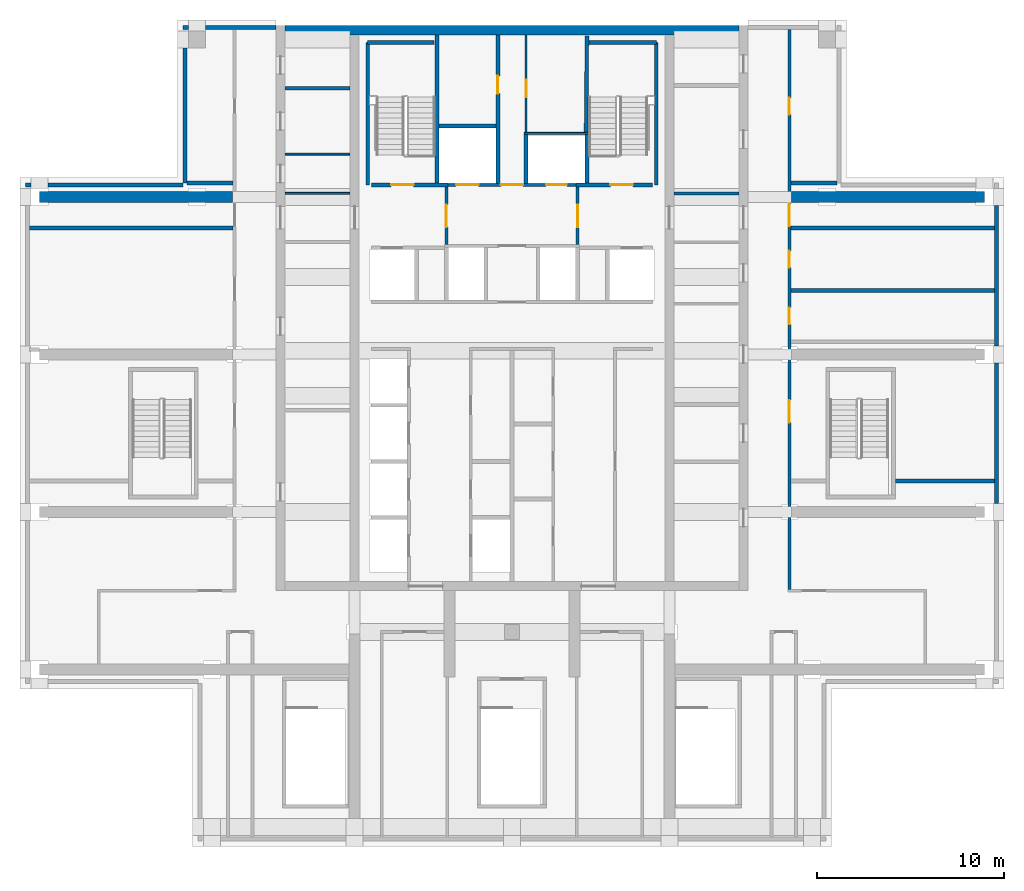
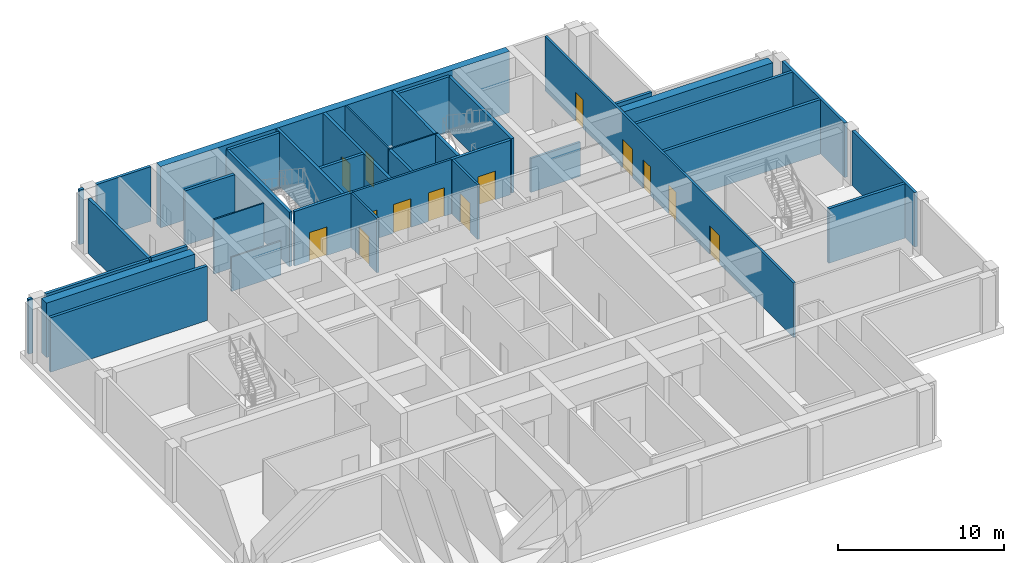
# One storey, part 5 of 11: 38 walls, 14 doors, 14 openings.
"""IFC4 building model written with IfcOpenShell, lengths in metres."""

from ifc_helpers import new_model, si_unit, direction, frame, frame_2d, origin, place, context, subcontext, project, spatial, rectangle, extrude, material, layer, layer_set, type_object, element, fill, save


model = new_model("IFC4")

# Units and contexts
model_context = context("Model", 3, precision=1e-05, world=origin(), true_north=direction((0.0, 1.0)))
body_context = subcontext(model_context, "Body", "Model", "MODEL_VIEW")
ifc_project = project(units=[si_unit("LENGTHUNIT", "METRE"), si_unit("AREAUNIT", "SQUARE_METRE"), si_unit("VOLUMEUNIT", "CUBIC_METRE"), si_unit("PLANEANGLEUNIT", "RADIAN"), si_unit("MASSUNIT", "GRAM", prefix="KILO")], contexts=[model_context])

# Site, building, storey
site_placement = place(None, origin())
site = spatial("IfcSite", under=ifc_project, at=site_placement, CompositionType="ELEMENT")
building_placement = place(site_placement, origin())
building = spatial("IfcBuilding", under=site, at=building_placement, Name="Vermilion Ogive Tower", CompositionType="ELEMENT")
storey_placement = place(building_placement, frame((0.0, 0.0, 264.85009765625)))
storey = spatial("IfcBuildingStorey", under=building, at=storey_placement, Name="L70", CompositionType="ELEMENT", Elevation=264.85009765625)

# Walls
ifc_material_1 = material(Name="Concrete B60", Category="concrete")
ifc_layer_1 = layer(ifc_material_1, 0.5)
ifc_layer_set_1 = layer_set([ifc_layer_1], Name="Core wall 500 B60")
wall_type_1 = type_object("IfcWallType", Name="Core wall 500 B60", PredefinedType="SHEAR", material=ifc_layer_set_1)
wall_1_placement = place(storey_placement, frame((-12.10009765625, 21.5, -0.5), z_axis=(0.0, 0.0, 1.0), x_axis=(1.0, 0.0, 0.0)))
element("IfcWall", 1, at=wall_1_placement, inside=storey, type_object=wall_type_1, Name="L70-CORE-N", PredefinedType="SHEAR", context=body_context, shape_type="SweptSolid", body=[
    extrude(rectangle(XDim=24.2001953125, YDim=0.5, at=frame_2d((12.10009765625, 0.0))), origin(), (0.0, 0.0, 1.0), 4.5),
])
ifc_material_2 = material(Name="Concrete B60", Category="concrete")
ifc_layer_2 = layer(ifc_material_2, 0.60009765625)
ifc_layer_set_2 = layer_set([ifc_layer_2], Name="Outrigger wall 600 B60")
wall_type_2 = type_object("IfcWallType", Name="Outrigger wall 600 B60", PredefinedType="SHEAR", material=ifc_layer_set_2)
for number, where, z_axis, x_axis, name in (
    (2, (14.89990234375, 12.60009765625, 0.0), (0.0, 0.0, 1.0), (1.0, 0.0, 0.0), "L70-OW-EWE+12.6"),
    (3, (-14.89990234375, 12.60009765625, 0.0), (0.0, 0.0, 1.0), (-1.0, 0.0, 0.0), "L70-OW-EWW+12.6"),
):
    element("IfcWall", number, at=place(storey_placement, frame(where, z_axis=z_axis, x_axis=x_axis)), inside=storey, type_object=wall_type_2, Name=name, PredefinedType="SHEAR", context=body_context, shape_type="SweptSolid", body=[
        extrude(rectangle(XDim=10.300048828125, YDim=0.60009765625, at=frame_2d((5.14990234375, 0.0))), origin(), (0.0, 0.0, 1.0), 4.0),
    ])
ifc_material_3 = material(Name="Gypsum board partition on steel studs", Category="steel")
ifc_layer_3 = layer(ifc_material_3, 0.10009765625)
ifc_layer_set_3 = layer_set([ifc_layer_3], Name="Partition 100 bath")
wall_type_3 = type_object("IfcWallType", Name="Partition 100 bath", PredefinedType="PARTITIONING", material=ifc_layer_set_3)
wall_2_placement = place(storey_placement, frame((0.64990234375, 16.0, 0.0), z_axis=(0.0, 0.0, 1.0), x_axis=(1.0, 0.0, 0.0)))
element("IfcWall", 4, at=wall_2_placement, inside=storey, type_object=wall_type_3, Name="L70-CK-W-W018", PredefinedType="PARTITIONING", context=body_context, shape_type="SweptSolid", body=[
    extrude(rectangle(XDim=3.4501953125, YDim=0.10009765625, at=frame_2d((1.72509765625, 0.0))), origin(), (0.0, 0.0, 1.0), 4.0),
])

# Wall, opening, door
wall_3_placement = place(storey_placement, frame((0.75, 16.050048828125, 0.0), z_axis=(0.0, 0.0, 1.0), x_axis=(0.0, 1.0, 0.0)))
wall_3 = element("IfcWall", 5, at=wall_3_placement, inside=storey, type_object=wall_type_3, Name="L70-CK-W-W030", PredefinedType="PARTITIONING", context=body_context, shape_type="SweptSolid", body=[
    extrude(rectangle(XDim=5.198974609375, YDim=0.10009765625, at=frame_2d((2.599609375, 0.0))), origin(), (0.0, 0.0, 1.0), 4.0),
])
opening_1_placement = place(wall_3_placement, frame((1.875, 0.0, 0.0)))
opening_1 = element("IfcOpeningElement", 6, at=opening_1_placement, cuts=wall_3, Name="Opening DAF058", PredefinedType="OPENING", context=body_context, shape_type="SweptSolid", body=[
    extrude(rectangle(XDim=0.949951171875, YDim=2.10009765625, at=frame_2d((0.47509765625, 1.050048828125))), frame((0.0, 0.06005859375, 0.0), z_axis=(0.0, -1.0, 0.0), x_axis=(1.0, 0.0, 0.0)), (0.0, 0.0, 1.0), 0.1201171875),
])
ifc_material_4 = material(Name="Timber door leaf", Category="wood")
door_type_1 = type_object("IfcDoorType", Name="Service door 950 x 2100 FD60", OperationType="SINGLE_SWING_LEFT", PredefinedType="DOOR", material=ifc_material_4)
door_1_placement = place(opening_1_placement, origin())
door_1 = element("IfcDoor", 7, at=door_1_placement, inside=storey, type_object=door_type_1, Name="L70-CK-D-D022", OperationType="SINGLE_SWING_LEFT", OverallHeight=2.10009765625, OverallWidth=0.949951171875, PredefinedType="DOOR", context=body_context, shape_type="SweptSolid", body=[
    extrude(rectangle(XDim=0.949951171875, YDim=2.10009765625, at=frame_2d((0.47509765625, 1.050048828125))), frame((0.0, 0.02490234375, 0.0), z_axis=(0.0, -1.0, 0.0), x_axis=(1.0, 0.0, 0.0)), (0.0, 0.0, 1.0), 0.050048828125),
])
fill(opening_1, door_1)

# Walls
wall_4_placement = place(storey_placement, frame((-12.09912109375, 12.800048828125, 0.0), z_axis=(0.0, 0.0, 1.0), x_axis=(1.0, 0.0, 0.0)))
element("IfcWall", 8, at=wall_4_placement, inside=storey, type_object=wall_type_3, Name="L70-CKW-W-W003", PredefinedType="PARTITIONING", context=body_context, shape_type="SweptSolid", body=[
    extrude(rectangle(XDim=3.4482421875, YDim=0.10009765625, at=frame_2d((1.72412109375, 0.0))), origin(), (0.0, 0.0, 1.0), 2.5),
])
wall_5_placement = place(storey_placement, frame((-12.09912109375, 14.89111328125, 0.0), z_axis=(0.0, 0.0, 1.0), x_axis=(1.0, 0.0, 0.0)))
element("IfcWall", 9, at=wall_5_placement, inside=storey, type_object=wall_type_3, Name="L70-CKW-W-W004", PredefinedType="PARTITIONING", context=body_context, shape_type="SweptSolid", body=[
    extrude(rectangle(XDim=3.4482421875, YDim=0.10009765625, at=frame_2d((1.72412109375, 0.0))), origin(), (0.0, 0.0, 1.0), 4.0),
])

# Wall, openings, doors
ifc_material_5 = material(Name="Gypsum board partition on steel studs", Category="steel")
ifc_layer_4 = layer(ifc_material_5, 0.14990234375)
ifc_layer_set_4 = layer_set([ifc_layer_4], Name="Partition 150 corridor")
wall_type_4 = type_object("IfcWallType", Name="Partition 150 corridor", PredefinedType="PARTITIONING", material=ifc_layer_set_4)
wall_6_placement = place(storey_placement, frame((14.800048828125, -8.324951171875, 0.0), z_axis=(0.0, 0.0, 1.0), x_axis=(0.0, 1.0, 0.0)))
wall_6 = element("IfcWall", 10, at=wall_6_placement, inside=storey, type_object=wall_type_4, Name="L70-FS-W-W027", PredefinedType="PARTITIONING", context=body_context, shape_type="SweptSolid", body=[
    extrude(rectangle(XDim=29.875, YDim=0.14990234375, at=frame_2d((14.9375, 0.0))), origin(), (0.0, 0.0, 1.0), 4.0),
])
opening_2_placement = place(wall_6_placement, frame((8.892333984375, 0.0, 0.0)))
opening_2 = element("IfcOpeningElement", 11, at=opening_2_placement, cuts=wall_6, Name="Opening L70S006", PredefinedType="OPENING", context=body_context, shape_type="SweptSolid", body=[
    extrude(rectangle(XDim=1.199951171875, YDim=2.10009765625, at=frame_2d((0.60009765625, 1.050048828125))), frame((0.0, 0.0849609375, 0.0), z_axis=(0.0, -1.0, 0.0), x_axis=(1.0, 0.0, 0.0)), (0.0, 0.0, 1.0), 0.169921875),
])
opening_3_placement = place(wall_6_placement, frame((14.12939453125, 0.0, 0.0)))
opening_3 = element("IfcOpeningElement", 12, at=opening_3_placement, cuts=wall_6, Name="Opening L70S007", PredefinedType="OPENING", context=body_context, shape_type="SweptSolid", body=[
    extrude(rectangle(XDim=0.89990234375, YDim=2.10009765625, at=frame_2d((0.449951171875, 1.050048828125))), frame((0.0, 0.0849609375, 0.0), z_axis=(0.0, -1.0, 0.0), x_axis=(1.0, 0.0, 0.0)), (0.0, 0.0, 1.0), 0.169921875),
])
opening_4_placement = place(wall_6_placement, frame((17.161865234375, 0.0, 0.0)))
opening_4 = element("IfcOpeningElement", 13, at=opening_4_placement, cuts=wall_6, Name="Opening L70S008", PredefinedType="OPENING", context=body_context, shape_type="SweptSolid", body=[
    extrude(rectangle(XDim=0.89990234375, YDim=2.10009765625, at=frame_2d((0.449951171875, 1.050048828125))), frame((0.0, 0.0849609375, 0.0), z_axis=(0.0, -1.0, 0.0), x_axis=(1.0, 0.0, 0.0)), (0.0, 0.0, 1.0), 0.169921875),
])
opening_5_placement = place(wall_6_placement, frame((19.375, 0.0, 0.0)))
opening_5 = element("IfcOpeningElement", 14, at=opening_5_placement, cuts=wall_6, Name="Opening L70S009", PredefinedType="OPENING", context=body_context, shape_type="SweptSolid", body=[
    extrude(rectangle(XDim=1.199951171875, YDim=2.10009765625, at=frame_2d((0.60009765625, 1.050048828125))), frame((0.0, 0.0849609375, 0.0), z_axis=(0.0, -1.0, 0.0), x_axis=(1.0, 0.0, 0.0)), (0.0, 0.0, 1.0), 0.169921875),
])
opening_6_placement = place(wall_6_placement, frame((25.324951171875, 0.0, 0.0)))
opening_6 = element("IfcOpeningElement", 15, at=opening_6_placement, cuts=wall_6, Name="Opening L70S015", PredefinedType="OPENING", context=body_context, shape_type="SweptSolid", body=[
    extrude(rectangle(XDim=0.89990234375, YDim=2.10009765625, at=frame_2d((0.449951171875, 1.050048828125))), frame((0.0, 0.0849609375, 0.0), z_axis=(0.0, -1.0, 0.0), x_axis=(1.0, 0.0, 0.0)), (0.0, 0.0, 1.0), 0.169921875),
])
ifc_material_6 = material(Name="Timber door leaf", Category="wood")
door_type_2 = type_object("IfcDoorType", Name="Room door 1200 x 2100 FD30", OperationType="SINGLE_SWING_LEFT", PredefinedType="DOOR", material=ifc_material_6)
door_2_placement = place(opening_2_placement, origin())
door_2 = element("IfcDoor", 16, at=door_2_placement, inside=storey, type_object=door_type_2, Name="L70-FS-D-D006", OperationType="SINGLE_SWING_LEFT", OverallHeight=2.10009765625, OverallWidth=1.199951171875, PredefinedType="DOOR", context=body_context, shape_type="SweptSolid", body=[
    extrude(rectangle(XDim=1.199951171875, YDim=2.10009765625, at=frame_2d((0.60009765625, 1.050048828125))), frame((0.0, 0.02490234375, 0.0), z_axis=(0.0, -1.0, 0.0), x_axis=(1.0, 0.0, 0.0)), (0.0, 0.0, 1.0), 0.050048828125),
])
fill(opening_2, door_2)
door_3_placement = place(opening_5_placement, origin())
door_3 = element("IfcDoor", 17, at=door_3_placement, inside=storey, type_object=door_type_2, Name="L70-FS-D-D009", OperationType="SINGLE_SWING_RIGHT", OverallHeight=2.10009765625, OverallWidth=1.199951171875, PredefinedType="DOOR", context=body_context, shape_type="SweptSolid", body=[
    extrude(rectangle(XDim=1.199951171875, YDim=2.10009765625, at=frame_2d((0.60009765625, 1.050048828125))), frame((0.0, 0.02490234375, 0.0), z_axis=(0.0, -1.0, 0.0), x_axis=(1.0, 0.0, 0.0)), (0.0, 0.0, 1.0), 0.050048828125),
])
fill(opening_5, door_3)
ifc_material_7 = material(Name="Timber door leaf", Category="wood")
door_type_3 = type_object("IfcDoorType", Name="Room door 900 x 2100 FD30", OperationType="SINGLE_SWING_LEFT", PredefinedType="DOOR", material=ifc_material_7)
door_4_placement = place(opening_3_placement, origin())
door_4 = element("IfcDoor", 18, at=door_4_placement, inside=storey, type_object=door_type_3, Name="L70-FS-D-D007", OperationType="SINGLE_SWING_LEFT", OverallHeight=2.10009765625, OverallWidth=0.89990234375, PredefinedType="DOOR", context=body_context, shape_type="SweptSolid", body=[
    extrude(rectangle(XDim=0.89990234375, YDim=2.10009765625, at=frame_2d((0.449951171875, 1.050048828125))), frame((0.0, 0.02490234375, 0.0), z_axis=(0.0, -1.0, 0.0), x_axis=(1.0, 0.0, 0.0)), (0.0, 0.0, 1.0), 0.050048828125),
])
fill(opening_3, door_4)
door_5_placement = place(opening_4_placement, origin())
door_5 = element("IfcDoor", 19, at=door_5_placement, inside=storey, type_object=door_type_3, Name="L70-FS-D-D008", OperationType="SINGLE_SWING_LEFT", OverallHeight=2.10009765625, OverallWidth=0.89990234375, PredefinedType="DOOR", context=body_context, shape_type="SweptSolid", body=[
    extrude(rectangle(XDim=0.89990234375, YDim=2.10009765625, at=frame_2d((0.449951171875, 1.050048828125))), frame((0.0, 0.02490234375, 0.0), z_axis=(0.0, -1.0, 0.0), x_axis=(1.0, 0.0, 0.0)), (0.0, 0.0, 1.0), 0.050048828125),
])
fill(opening_4, door_5)
door_6_placement = place(opening_6_placement, origin())
door_6 = element("IfcDoor", 20, at=door_6_placement, inside=storey, type_object=door_type_3, Name="L70-FS-D-D015", OperationType="SINGLE_SWING_RIGHT", OverallHeight=2.10009765625, OverallWidth=0.89990234375, PredefinedType="DOOR", context=body_context, shape_type="SweptSolid", body=[
    extrude(rectangle(XDim=0.89990234375, YDim=2.10009765625, at=frame_2d((0.449951171875, 1.050048828125))), frame((0.0, 0.02490234375, 0.0), z_axis=(0.0, -1.0, 0.0), x_axis=(1.0, 0.0, 0.0)), (0.0, 0.0, 1.0), 0.050048828125),
])
fill(opening_6, door_6)

wall_7_placement = place(storey_placement, frame((-3.574951171875, 13.25, 0.0), z_axis=(0.0, 0.0, 1.0), x_axis=(1.0, 0.0, 0.0)))
wall_7 = element("IfcWall", 21, at=wall_7_placement, inside=storey, type_object=wall_type_4, Name="L70-CK-W-W016", PredefinedType="PARTITIONING", context=body_context, shape_type="SweptSolid", body=[
    extrude(rectangle(XDim=7.14990234375, YDim=0.14990234375, at=frame_2d((3.574951171875, 0.0))), origin(), (0.0, 0.0, 1.0), 4.0),
])
opening_7_placement = place(wall_7_placement, frame((0.599853515625, 0.0, 0.0)))
opening_7 = element("IfcOpeningElement", 22, at=opening_7_placement, cuts=wall_7, Name="Opening DAF069", PredefinedType="OPENING", context=body_context, shape_type="SweptSolid", body=[
    extrude(rectangle(XDim=1.199951171875, YDim=2.10009765625, at=frame_2d((0.60009765625, 1.050048828125))), frame((0.0, 0.0849609375, 0.0), z_axis=(0.0, -1.0, 0.0), x_axis=(1.0, 0.0, 0.0)), (0.0, 0.0, 1.0), 0.169921875),
])
opening_8_placement = place(wall_7_placement, frame((5.39990234375, 0.0, 0.0)))
opening_8 = element("IfcOpeningElement", 23, at=opening_8_placement, cuts=wall_7, Name="Opening DAF068", PredefinedType="OPENING", context=body_context, shape_type="SweptSolid", body=[
    extrude(rectangle(XDim=1.10009765625, YDim=2.10009765625, at=frame_2d((0.550048828125, 1.050048828125))), frame((0.0, 0.0849609375, 0.0), z_axis=(0.0, -1.0, 0.0), x_axis=(1.0, 0.0, 0.0)), (0.0, 0.0, 1.0), 0.169921875),
])
opening_9_placement = place(wall_7_placement, frame((2.974853515625, 0.0, 0.0)))
opening_9 = element("IfcOpeningElement", 24, at=opening_9_placement, cuts=wall_7, Name="Opening DAF050", PredefinedType="OPENING", context=body_context, shape_type="SweptSolid", body=[
    extrude(rectangle(XDim=1.199951171875, YDim=2.10009765625, at=frame_2d((0.60009765625, 1.050048828125))), frame((0.0, 0.0849609375, 0.0), z_axis=(0.0, -1.0, 0.0), x_axis=(1.0, 0.0, 0.0)), (0.0, 0.0, 1.0), 0.169921875),
])
ifc_material_8 = material(Name="Stainless steel", Category="steel")
door_type_4 = type_object("IfcDoorType", Name="Lift landing door 1100 x 2100", OperationType="SLIDING_TO_LEFT", PredefinedType="DOOR", material=ifc_material_8)
door_7_placement = place(opening_8_placement, origin())
door_7 = element("IfcDoor", 25, at=door_7_placement, inside=storey, type_object=door_type_4, Name="L70-CK-D-D019", OperationType="SLIDING_TO_LEFT", OverallHeight=2.10009765625, OverallWidth=1.10009765625, PredefinedType="DOOR", context=body_context, shape_type="SweptSolid", body=[
    extrude(rectangle(XDim=1.10009765625, YDim=2.10009765625, at=frame_2d((0.550048828125, 1.050048828125))), frame((0.0, 0.02490234375, 0.0), z_axis=(0.0, -1.0, 0.0), x_axis=(1.0, 0.0, 0.0)), (0.0, 0.0, 1.0), 0.050048828125),
])
fill(opening_8, door_7)
ifc_material_9 = material(Name="Stainless steel", Category="steel")
door_type_5 = type_object("IfcDoorType", Name="Lift landing door 1200 x 2100", OperationType="SLIDING_TO_LEFT", PredefinedType="DOOR", material=ifc_material_9)
door_8_placement = place(opening_7_placement, origin())
door_8 = element("IfcDoor", 26, at=door_8_placement, inside=storey, type_object=door_type_5, Name="L70-CK-D-D018", OperationType="SLIDING_TO_RIGHT", OverallHeight=2.10009765625, OverallWidth=1.199951171875, PredefinedType="DOOR", context=body_context, shape_type="SweptSolid", body=[
    extrude(rectangle(XDim=1.199951171875, YDim=2.10009765625, at=frame_2d((0.60009765625, 1.050048828125))), frame((0.0, 0.02490234375, 0.0), z_axis=(0.0, -1.0, 0.0), x_axis=(1.0, 0.0, 0.0)), (0.0, 0.0, 1.0), 0.050048828125),
])
fill(opening_7, door_8)
ifc_material_10 = material(Name="Timber door leaf", Category="wood")
door_type_6 = type_object("IfcDoorType", Name="Service door 1200 x 2100 FD60", OperationType="SINGLE_SWING_LEFT", PredefinedType="DOOR", material=ifc_material_10)
door_9_placement = place(opening_9_placement, origin())
door_9 = element("IfcDoor", 27, at=door_9_placement, inside=storey, type_object=door_type_6, Name="L70-CK-D-D020", OperationType="SINGLE_SWING_RIGHT", OverallHeight=2.10009765625, OverallWidth=1.199951171875, PredefinedType="DOOR", context=body_context, shape_type="SweptSolid", body=[
    extrude(rectangle(XDim=1.199951171875, YDim=2.10009765625, at=frame_2d((0.60009765625, 1.050048828125))), frame((0.0, 0.02490234375, 0.0), z_axis=(0.0, -1.0, 0.0), x_axis=(1.0, 0.0, 0.0)), (0.0, 0.0, 1.0), 0.050048828125),
])
fill(opening_9, door_9)

# Wall, opening, door
wall_8_placement = place(storey_placement, frame((-3.5, 10.074951171875, 0.0), z_axis=(0.0, 0.0, 1.0), x_axis=(0.0, 1.0, 0.0)))
wall_8 = element("IfcWall", 28, at=wall_8_placement, inside=storey, type_object=wall_type_4, Name="L70-CK-W-W024", PredefinedType="PARTITIONING", context=body_context, shape_type="SweptSolid", body=[
    extrude(rectangle(XDim=3.074951171875, YDim=0.14990234375, at=frame_2d((1.53759765625, 0.0))), origin(), (0.0, 0.0, 1.0), 4.0),
])
opening_10_placement = place(wall_8_placement, frame((0.925048828125, 0.0, 0.0)))
opening_10 = element("IfcOpeningElement", 29, at=opening_10_placement, cuts=wall_8, Name="Opening DAF046", PredefinedType="OPENING", context=body_context, shape_type="SweptSolid", body=[
    extrude(rectangle(XDim=1.199951171875, YDim=2.10009765625, at=frame_2d((0.60009765625, 1.050048828125))), frame((0.0, 0.0849609375, 0.0), z_axis=(0.0, -1.0, 0.0), x_axis=(1.0, 0.0, 0.0)), (0.0, 0.0, 1.0), 0.169921875),
])
ifc_material_11 = material(Name="Timber door leaf", Category="wood")
door_type_7 = type_object("IfcDoorType", Name="Lobby door 1200 x 2100 FD60S", OperationType="SINGLE_SWING_LEFT", PredefinedType="DOOR", material=ifc_material_11)
door_10_placement = place(opening_10_placement, origin())
door_10 = element("IfcDoor", 30, at=door_10_placement, inside=storey, type_object=door_type_7, Name="L70-CK-D-D023", OperationType="SINGLE_SWING_RIGHT", OverallHeight=2.10009765625, OverallWidth=1.199951171875, PredefinedType="DOOR", context=body_context, shape_type="SweptSolid", body=[
    extrude(rectangle(XDim=1.199951171875, YDim=2.10009765625, at=frame_2d((0.60009765625, 1.050048828125))), frame((0.0, 0.02490234375, 0.0), z_axis=(0.0, -1.0, 0.0), x_axis=(1.0, 0.0, 0.0)), (0.0, 0.0, 1.0), 0.050048828125),
])
fill(opening_10, door_10)

wall_9_placement = place(storey_placement, frame((3.5, 10.074951171875, 0.0), z_axis=(0.0, 0.0, 1.0), x_axis=(0.0, 1.0, 0.0)))
wall_9 = element("IfcWall", 31, at=wall_9_placement, inside=storey, type_object=wall_type_4, Name="L70-CK-W-W034", PredefinedType="PARTITIONING", context=body_context, shape_type="SweptSolid", body=[
    extrude(rectangle(XDim=3.074951171875, YDim=0.14990234375, at=frame_2d((1.53759765625, 0.0))), origin(), (0.0, 0.0, 1.0), 4.0),
])
opening_11_placement = place(wall_9_placement, frame((0.925048828125, 0.0, 0.0)))
opening_11 = element("IfcOpeningElement", 32, at=opening_11_placement, cuts=wall_9, Name="Opening DAF047", PredefinedType="OPENING", context=body_context, shape_type="SweptSolid", body=[
    extrude(rectangle(XDim=1.199951171875, YDim=2.10009765625, at=frame_2d((0.60009765625, 1.050048828125))), frame((0.0, 0.0849609375, 0.0), z_axis=(0.0, -1.0, 0.0), x_axis=(1.0, 0.0, 0.0)), (0.0, 0.0, 1.0), 0.169921875),
])
door_11_placement = place(opening_11_placement, origin())
door_11 = element("IfcDoor", 33, at=door_11_placement, inside=storey, type_object=door_type_7, Name="L70-CK-D-D024", OperationType="SINGLE_SWING_LEFT", OverallHeight=2.10009765625, OverallWidth=1.199951171875, PredefinedType="DOOR", context=body_context, shape_type="SweptSolid", body=[
    extrude(rectangle(XDim=1.199951171875, YDim=2.10009765625, at=frame_2d((0.60009765625, 1.050048828125))), frame((0.0, 0.02490234375, 0.0), z_axis=(0.0, -1.0, 0.0), x_axis=(1.0, 0.0, 0.0)), (0.0, 0.0, 1.0), 0.050048828125),
])
fill(opening_11, door_11)

# Walls
wall_10_placement = place(storey_placement, frame((8.65087890625, 12.800048828125, 0.0), z_axis=(0.0, 0.0, 1.0), x_axis=(1.0, 0.0, 0.0)))
element("IfcWall", 34, at=wall_10_placement, inside=storey, type_object=wall_type_4, Name="L70-CKE-W-W005", PredefinedType="PARTITIONING", context=body_context, shape_type="SweptSolid", body=[
    extrude(rectangle(XDim=3.4482421875, YDim=0.14990234375, at=frame_2d((1.72412109375, 0.0))), origin(), (0.0, 0.0, 1.0), 2.5),
])
ifc_material_12 = material(Name="Gypsum board partition on steel studs", Category="steel")
ifc_layer_5 = layer(ifc_material_12, 0.199951171875)
ifc_layer_set_5 = layer_set([ifc_layer_5], Name="Partition 200 party")
wall_type_5 = type_object("IfcWallType", Name="Partition 200 party", PredefinedType="PARTITIONING", material=ifc_layer_set_5)
wall_11_placement = place(storey_placement, frame((20.449951171875, -2.550048828125, 0.0), z_axis=(0.0, 0.0, 1.0), x_axis=(1.0, 0.0, 0.0)))
element("IfcWall", 35, at=wall_11_placement, inside=storey, type_object=wall_type_5, Name="L70-FS-W-W010", PredefinedType="PARTITIONING", context=body_context, shape_type="SweptSolid", body=[
    extrude(rectangle(XDim=5.300048828125, YDim=0.199951171875, at=frame_2d((2.64990234375, 0.0))), origin(), (0.0, 0.0, 1.0), 4.0),
])
for number, where, z_axis, x_axis, name in (
    (36, (14.875, 7.6240234375, 0.0), (0.0, 0.0, 1.0), (1.0, 0.0, 0.0), "L70-FS-W-W013"),
    (37, (-25.75, 10.949951171875, 0.0), (0.0, 0.0, 1.0), (1.0, 0.0, 0.0), "L70-FS-W-W014"),
    (38, (14.875, 10.949951171875, 0.0), (0.0, 0.0, 1.0), (1.0, 0.0, 0.0), "L70-FS-W-W015"),
):
    element("IfcWall", number, at=place(storey_placement, frame(where, z_axis=z_axis, x_axis=x_axis)), inside=storey, type_object=wall_type_5, Name=name, PredefinedType="PARTITIONING", context=body_context, shape_type="SweptSolid", body=[
        extrude(rectangle(XDim=10.875, YDim=0.199951171875, at=frame_2d((5.4375, 0.0))), origin(), (0.0, 0.0, 1.0), 4.0),
    ])
for number, where, z_axis, x_axis, name in (
    (39, (-17.35009765625, 13.35009765625, 0.0), (0.0, 0.0, 1.0), (1.0, 0.0, 0.0), "L70-FS-W-W016"),
    (40, (14.875, 13.35009765625, 0.0), (0.0, 0.0, 1.0), (1.0, 0.0, 0.0), "L70-FS-W-W017"),
):
    element("IfcWall", number, at=place(storey_placement, frame(where, z_axis=z_axis, x_axis=x_axis)), inside=storey, type_object=wall_type_5, Name=name, PredefinedType="PARTITIONING", context=body_context, shape_type="SweptSolid", body=[
        extrude(rectangle(XDim=2.47509765625, YDim=0.199951171875, at=frame_2d((1.237548828125, 0.0))), origin(), (0.0, 0.0, 1.0), 4.0),
    ])
wall_12_placement = place(storey_placement, frame((-3.89990234375, 16.39990234375, 0.0), z_axis=(0.0, 0.0, 1.0), x_axis=(1.0, 0.0, 0.0)))
element("IfcWall", 41, at=wall_12_placement, inside=storey, type_object=wall_type_5, Name="L70-CK-W-W019", PredefinedType="PARTITIONING", context=body_context, shape_type="SweptSolid", body=[
    extrude(rectangle(XDim=3.0498046875, YDim=0.199951171875, at=frame_2d((1.52490234375, 0.0))), origin(), (0.0, 0.0, 1.0), 4.0),
])

# Wall, opening, door
wall_13_placement = place(storey_placement, frame((-0.75, 13.324951171875, 0.0), z_axis=(0.0, 0.0, 1.0), x_axis=(0.0, 1.0, 0.0)))
wall_13 = element("IfcWall", 42, at=wall_13_placement, inside=storey, type_object=wall_type_5, Name="L70-CK-W-W027", PredefinedType="PARTITIONING", context=body_context, shape_type="SweptSolid", body=[
    extrude(rectangle(XDim=7.924072265625, YDim=0.199951171875, at=frame_2d((3.9619140625, 0.0))), origin(), (0.0, 0.0, 1.0), 4.0),
])
opening_12_placement = place(wall_13_placement, frame((4.800048828125, 0.0, 0.0)))
opening_12 = element("IfcOpeningElement", 43, at=opening_12_placement, cuts=wall_13, Name="Opening DAF057", PredefinedType="OPENING", context=body_context, shape_type="SweptSolid", body=[
    extrude(rectangle(XDim=0.949951171875, YDim=2.10009765625, at=frame_2d((0.47509765625, 1.050048828125))), frame((0.0, 0.10986328125, 0.0), z_axis=(0.0, -1.0, 0.0), x_axis=(1.0, 0.0, 0.0)), (0.0, 0.0, 1.0), 0.219970703125),
])
door_12_placement = place(opening_12_placement, origin())
door_12 = element("IfcDoor", 44, at=door_12_placement, inside=storey, type_object=door_type_1, Name="L70-CK-D-D021", OperationType="SINGLE_SWING_RIGHT", OverallHeight=2.10009765625, OverallWidth=0.949951171875, PredefinedType="DOOR", context=body_context, shape_type="SweptSolid", body=[
    extrude(rectangle(XDim=0.949951171875, YDim=2.10009765625, at=frame_2d((0.47509765625, 1.050048828125))), frame((0.0, 0.02490234375, 0.0), z_axis=(0.0, -1.0, 0.0), x_axis=(1.0, 0.0, 0.0)), (0.0, 0.0, 1.0), 0.050048828125),
])
fill(opening_12, door_12)

# Walls
wall_14_placement = place(storey_placement, frame((0.75, 13.324951171875, 0.0), z_axis=(0.0, 0.0, 1.0), x_axis=(0.0, 1.0, 0.0)))
element("IfcWall", 45, at=wall_14_placement, inside=storey, type_object=wall_type_5, Name="L70-CK-W-W029", PredefinedType="PARTITIONING", context=body_context, shape_type="SweptSolid", body=[
    extrude(rectangle(XDim=2.625, YDim=0.199951171875, at=frame_2d((1.3125, 0.0))), origin(), (0.0, 0.0, 1.0), 4.0),
])
wall_15_placement = place(storey_placement, frame((-12.09912109375, 18.410888671875, 0.0), z_axis=(0.0, 0.0, 1.0), x_axis=(1.0, 0.0, 0.0)))
element("IfcWall", 46, at=wall_15_placement, inside=storey, type_object=wall_type_5, Name="L70-CKW-W-W005", PredefinedType="PARTITIONING", context=body_context, shape_type="SweptSolid", body=[
    extrude(rectangle(XDim=3.4482421875, YDim=0.199951171875, at=frame_2d((1.72412109375, 0.0))), origin(), (0.0, 0.0, 1.0), 4.0),
])
ifc_material_13 = material(Name="Aluminium louvre panels", Category="aluminium")
ifc_layer_6 = layer(ifc_material_13, 0.199951171875)
ifc_layer_set_6 = layer_set([ifc_layer_6], Name="Plant louvre wall")
wall_type_6 = type_object("IfcWallType", Name="Plant louvre wall", PredefinedType="STANDARD", material=ifc_layer_set_6)
for number, where, z_axis, x_axis, name in (
    (47, (25.85009765625, -3.75, 0.0), (0.0, 0.0, 1.0), (0.0, 1.0, 0.0), "Window wall E2"),
    (48, (25.85009765625, 4.64990234375, 0.0), (0.0, 0.0, 1.0), (0.0, 1.0, 0.0), "Window wall E3"),
):
    element("IfcWall", number, at=place(storey_placement, frame(where, z_axis=z_axis, x_axis=x_axis)), inside=storey, type_object=wall_type_6, Name=name, PredefinedType="STANDARD", context=body_context, shape_type="SweptSolid", body=[
        extrude(rectangle(XDim=7.5, YDim=0.199951171875, at=frame_2d((3.75, 0.0))), origin(), (0.0, 0.0, 1.0), 4.0),
    ])
wall_16_placement = place(storey_placement, frame((-12.60009765625, 21.64990234375, 0.0), z_axis=(0.0, 0.0, 1.0), x_axis=(-1.0, 0.0, 0.0)))
element("IfcWall", 49, at=wall_16_placement, inside=storey, type_object=wall_type_6, Name="Window wall N21", PredefinedType="STANDARD", context=body_context, shape_type="SweptSolid", body=[
    extrude(rectangle(XDim=3.75, YDim=0.199951171875, at=frame_2d((1.875, 0.0))), origin(), (0.0, 0.0, 1.0), 4.0),
])
wall_17_placement = place(storey_placement, frame((-17.25, 21.64990234375, 0.0), z_axis=(0.0, 0.0, 1.0), x_axis=(-1.0, 0.0, 0.0)))
element("IfcWall", 50, at=wall_17_placement, inside=storey, type_object=wall_type_6, Name="Window wall N22", PredefinedType="STANDARD", context=body_context, shape_type="SweptSolid", body=[
    extrude(rectangle(XDim=0.300048828125, YDim=0.199951171875, at=frame_2d((0.14990234375, 0.0))), origin(), (0.0, 0.0, 1.0), 4.0),
])
for number, where, z_axis, x_axis, name in (
    (51, (-17.449951171875, 20.550048828125, 0.0), (0.0, 0.0, 1.0), (0.0, -1.0, 0.0), "Window wall X51"),
    (52, (-17.550048828125, 13.25, 0.0), (0.0, 0.0, 1.0), (-1.0, 0.0, 0.0), "Window wall X61"),
):
    element("IfcWall", number, at=place(storey_placement, frame(where, z_axis=z_axis, x_axis=x_axis)), inside=storey, type_object=wall_type_6, Name=name, PredefinedType="STANDARD", context=body_context, shape_type="SweptSolid", body=[
        extrude(rectangle(XDim=7.199951171875, YDim=0.199951171875, at=frame_2d((3.60009765625, 0.0))), origin(), (0.0, 0.0, 1.0), 4.0),
    ])
wall_18_placement = place(storey_placement, frame((-25.64990234375, 13.25, 0.0), z_axis=(0.0, 0.0, 1.0), x_axis=(-1.0, 0.0, 0.0)))
element("IfcWall", 53, at=wall_18_placement, inside=storey, type_object=wall_type_6, Name="Window wall X62", PredefinedType="STANDARD", context=body_context, shape_type="SweptSolid", body=[
    extrude(rectangle(XDim=0.300048828125, YDim=0.199951171875, at=frame_2d((0.14990234375, 0.0))), origin(), (0.0, 0.0, 1.0), 4.0),
])

# Wall, opening, door
ifc_material_14 = material(Name="Concrete B60", Category="concrete")
ifc_layer_7 = layer(ifc_material_14, 0.199951171875)
ifc_layer_set_7 = layer_set([ifc_layer_7], Name="Stair shaft wall 200 Concrete B60")
wall_type_7 = type_object("IfcWallType", Name="Stair shaft wall 200 Concrete B60", PredefinedType="SOLIDWALL", material=ifc_layer_set_7)
wall_19_placement = place(storey_placement, frame((-7.5, 13.25, 0.0), z_axis=(0.0, 0.0, 1.0), x_axis=(1.0, 0.0, 0.0)))
wall_19 = element("IfcWall", 54, at=wall_19_placement, inside=storey, type_object=wall_type_7, Name="L70-CK-W-W015", PredefinedType="SOLIDWALL", context=body_context, shape_type="SweptSolid", body=[
    extrude(rectangle(XDim=4.074951171875, YDim=0.199951171875, at=frame_2d((2.03759765625, 0.0))), origin(), (0.0, 0.0, 1.0), 4.0),
])
opening_13_placement = place(wall_19_placement, frame((1.050048828125, 0.0, 0.0)))
opening_13 = element("IfcOpeningElement", 55, at=opening_13_placement, cuts=wall_19, Name="Opening DAF059", PredefinedType="OPENING", context=body_context, shape_type="SweptSolid", body=[
    extrude(rectangle(XDim=1.199951171875, YDim=2.10009765625, at=frame_2d((0.60009765625, 1.050048828125))), frame((0.0, 0.10986328125, 0.0), z_axis=(0.0, -1.0, 0.0), x_axis=(1.0, 0.0, 0.0)), (0.0, 0.0, 1.0), 0.219970703125),
])
ifc_material_15 = material(Name="Timber door leaf", Category="wood")
door_type_8 = type_object("IfcDoorType", Name="Stair door 1200 x 2100 FD60S", OperationType="SINGLE_SWING_LEFT", PredefinedType="DOOR", material=ifc_material_15)
door_13_placement = place(opening_13_placement, origin())
door_13 = element("IfcDoor", 56, at=door_13_placement, inside=storey, type_object=door_type_8, Name="L70-CK-D-D012", OperationType="SINGLE_SWING_LEFT", OverallHeight=2.10009765625, OverallWidth=1.199951171875, PredefinedType="DOOR", context=body_context, shape_type="SweptSolid", body=[
    extrude(rectangle(XDim=1.199951171875, YDim=2.10009765625, at=frame_2d((0.60009765625, 1.050048828125))), frame((0.0, 0.02490234375, 0.0), z_axis=(0.0, -1.0, 0.0), x_axis=(1.0, 0.0, 0.0)), (0.0, 0.0, 1.0), 0.050048828125),
])
fill(opening_13, door_13)

wall_20_placement = place(storey_placement, frame((3.425048828125, 13.25, 0.0), z_axis=(0.0, 0.0, 1.0), x_axis=(1.0, 0.0, 0.0)))
wall_20 = element("IfcWall", 57, at=wall_20_placement, inside=storey, type_object=wall_type_7, Name="L70-CK-W-W017", PredefinedType="SOLIDWALL", context=body_context, shape_type="SweptSolid", body=[
    extrude(rectangle(XDim=4.074951171875, YDim=0.199951171875, at=frame_2d((2.03759765625, 0.0))), origin(), (0.0, 0.0, 1.0), 4.0),
])
opening_14_placement = place(wall_20_placement, frame((1.824951171875, 0.0, 0.0)))
opening_14 = element("IfcOpeningElement", 58, at=opening_14_placement, cuts=wall_20, Name="Opening DAF060", PredefinedType="OPENING", context=body_context, shape_type="SweptSolid", body=[
    extrude(rectangle(XDim=1.199951171875, YDim=2.10009765625, at=frame_2d((0.60009765625, 1.050048828125))), frame((0.0, 0.10986328125, 0.0), z_axis=(0.0, -1.0, 0.0), x_axis=(1.0, 0.0, 0.0)), (0.0, 0.0, 1.0), 0.219970703125),
])
door_14_placement = place(opening_14_placement, origin())
door_14 = element("IfcDoor", 59, at=door_14_placement, inside=storey, type_object=door_type_8, Name="L70-CK-D-D014", OperationType="SINGLE_SWING_RIGHT", OverallHeight=2.10009765625, OverallWidth=1.199951171875, PredefinedType="DOOR", context=body_context, shape_type="SweptSolid", body=[
    extrude(rectangle(XDim=1.199951171875, YDim=2.10009765625, at=frame_2d((0.60009765625, 1.050048828125))), frame((0.0, 0.02490234375, 0.0), z_axis=(0.0, -1.0, 0.0), x_axis=(1.0, 0.0, 0.0)), (0.0, 0.0, 1.0), 0.050048828125),
])
fill(opening_14, door_14)

# Walls
wall_21_placement = place(storey_placement, frame((-4.0, 13.35009765625, 0.0), z_axis=(0.0, 0.0, 1.0), x_axis=(0.0, 1.0, 0.0)))
element("IfcWall", 60, at=wall_21_placement, inside=storey, type_object=wall_type_7, Name="L70-CK-W-W022", PredefinedType="SOLIDWALL", context=body_context, shape_type="SweptSolid", body=[
    extrude(rectangle(XDim=7.89892578125, YDim=0.199951171875, at=frame_2d((3.949462890625, 0.0))), origin(), (0.0, 0.0, 1.0), 4.0),
])
wall_22_placement = place(storey_placement, frame((4.0, 13.35009765625, 0.0), z_axis=(0.0, 0.0, 1.0), x_axis=(0.0, 1.0, 0.0)))
element("IfcWall", 61, at=wall_22_placement, inside=storey, type_object=wall_type_7, Name="L70-CK-W-W035", PredefinedType="SOLIDWALL", context=body_context, shape_type="SweptSolid", body=[
    extrude(rectangle(XDim=2.599853515625, YDim=0.199951171875, at=frame_2d((1.2998046875, 0.0))), origin(), (0.0, 0.0, 1.0), 4.0),
])
wall_23_placement = place(storey_placement, frame((3.949951171875, 16.050048828125, 0.0), z_axis=(0.0, 0.0, 1.0), x_axis=(0.009719787395, 0.999952761751, 0.0)))
element("IfcWall", 62, at=wall_23_placement, inside=storey, type_object=wall_type_7, Name="L70-CK-W-W036", PredefinedType="SOLIDWALL", context=body_context, shape_type="SweptSolid", body=[
    extrude(rectangle(XDim=5.149169921875, YDim=0.199951171875, at=frame_2d((2.57470703125, 0.0))), origin(), (0.0, 0.0, 1.0), 4.0),
])
wall_24_placement = place(storey_placement, frame((-7.699951171875, 13.25, 0.0), z_axis=(0.0, 0.0, 1.0), x_axis=(0.0, 1.0, 0.0)))
element("IfcWall", 63, at=wall_24_placement, inside=storey, type_object=wall_type_7, Name="L70-SW-R018-W1", PredefinedType="SOLIDWALL", context=body_context, shape_type="SweptSolid", body=[
    extrude(rectangle(XDim=7.60009765625, YDim=0.199951171875, at=frame_2d((3.800048828125, 0.0))), origin(), (0.0, 0.0, 1.0), 4.0),
])
wall_25_placement = place(storey_placement, frame((-7.699951171875, 20.85009765625, 0.0), z_axis=(0.0, 0.0, 1.0), x_axis=(1.0, 0.0, 0.0)))
element("IfcWall", 64, at=wall_25_placement, inside=storey, type_object=wall_type_7, Name="L70-SW-R018-N1", PredefinedType="SOLIDWALL", context=body_context, shape_type="SweptSolid", body=[
    extrude(rectangle(XDim=3.550048828125, YDim=0.199951171875, at=frame_2d((1.77490234375, 0.0))), origin(), (0.0, 0.0, 1.0), 4.0),
])
wall_26_placement = place(storey_placement, frame((7.699951171875, 13.25, 0.0), z_axis=(0.0, 0.0, 1.0), x_axis=(0.0, 1.0, 0.0)))
element("IfcWall", 65, at=wall_26_placement, inside=storey, type_object=wall_type_7, Name="L70-SW-R022-E1", PredefinedType="SOLIDWALL", context=body_context, shape_type="SweptSolid", body=[
    extrude(rectangle(XDim=7.60009765625, YDim=0.199951171875, at=frame_2d((3.800048828125, 0.0))), origin(), (0.0, 0.0, 1.0), 4.0),
])
wall_27_placement = place(storey_placement, frame((4.10009765625, 20.85009765625, 0.0), z_axis=(0.0, 0.0, 1.0), x_axis=(1.0, 0.0, 0.0)))
element("IfcWall", 66, at=wall_27_placement, inside=storey, type_object=wall_type_7, Name="L70-SW-R022-N1", PredefinedType="SOLIDWALL", context=body_context, shape_type="SweptSolid", body=[
    extrude(rectangle(XDim=3.599853515625, YDim=0.199951171875, at=frame_2d((1.7998046875, 0.0))), origin(), (0.0, 0.0, 1.0), 4.0),
])

save(model, "model.ifc")
